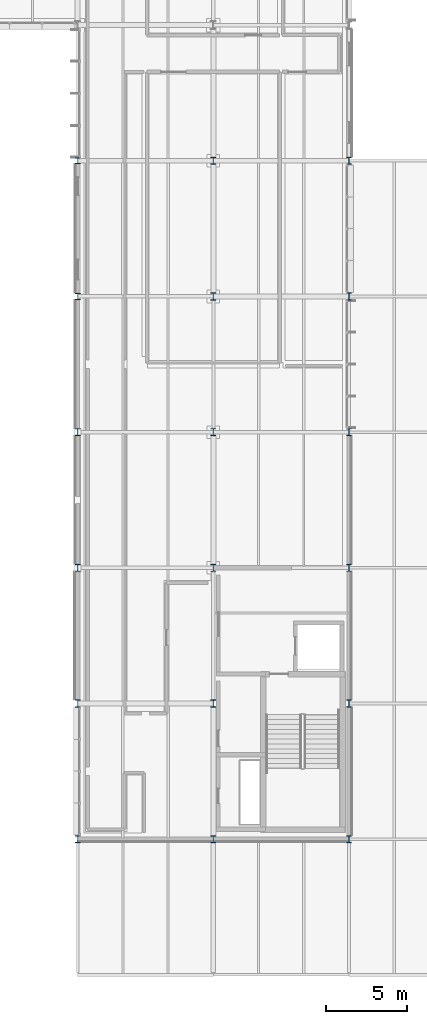
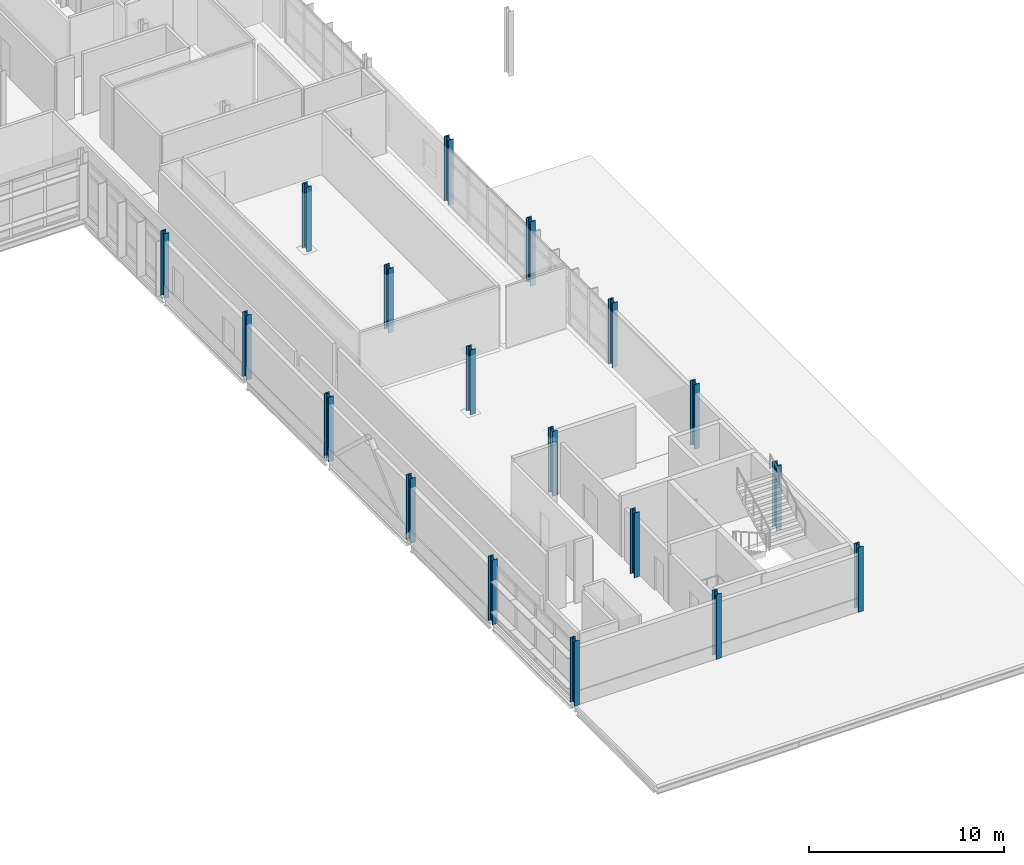
# One storey, part 12 of 151: 18 columns.
"""IFC4 building model written with IfcOpenShell, lengths in metres."""

from ifc_helpers import new_model, si_unit, direction, frame, origin, origin_2d, place, context, subcontext, project, spatial, i_section, extrude, material, material_profile, profile_set, type_object, element, save


model = new_model("IFC4")

# Units and contexts
model_context = context("Model", 3, precision=1e-05, world=origin(), true_north=direction((0.0, 1.0)))
body_context = subcontext(model_context, "Body", "Model", "MODEL_VIEW")
ifc_project = project(units=[si_unit("LENGTHUNIT", "METRE"), si_unit("AREAUNIT", "SQUARE_METRE"), si_unit("VOLUMEUNIT", "CUBIC_METRE"), si_unit("PLANEANGLEUNIT", "RADIAN"), si_unit("MASSUNIT", "GRAM", prefix="KILO")], contexts=[model_context])

# Site, building, storey
site_placement = place(None, origin())
site = spatial("IfcSite", under=ifc_project, at=site_placement, CompositionType="ELEMENT")
building_placement = place(site_placement, origin())
building = spatial("IfcBuilding", under=site, at=building_placement, Name="Mersafa Astral City Hall", CompositionType="ELEMENT")
storey_placement = place(building_placement, frame((0.0, 0.0, 9.89990234375)))
storey = spatial("IfcBuildingStorey", under=building, at=storey_placement, Name="L02", CompositionType="ELEMENT", Elevation=9.89990234375)

# Columns
ifc_material = material(Name="Steel S355", Category="steel")
ifc_material_profile_1 = material_profile(ifc_material, i_section(OverallWidth=0.300048828125, OverallDepth=0.360107421875, WebThickness=0.012451171875, FlangeThickness=0.0224609375, FilletRadius=0.027099609375, at=origin_2d()), Name="HEB 360")
ifc_profile_set_1 = profile_set([ifc_material_profile_1], Name="Steel S355")
column_type_1 = type_object("IfcColumnType", Name="STR-COL-HEB360", PredefinedType="COLUMN", material=ifc_profile_set_1)
column_1_placement = place(storey_placement, frame((159.60009765625, 92.39990234375, 0.0), z_axis=(0.0, 0.0, 1.0), x_axis=(1.0, 0.0, 0.0)))
element("IfcColumn", 1, at=column_1_placement, inside=storey, type_object=column_type_1, Name="L02 Structural column G-19-11", PredefinedType="COLUMN", context=body_context, shape_type="SweptSolid", body=[
    extrude(i_section(OverallWidth=0.300048828125, OverallDepth=0.360107421875, WebThickness=0.012451171875, FlangeThickness=0.0224609375, FilletRadius=0.027099609375, at=origin_2d()), origin(), (0.0, 0.0, 1.0), 4.050048828125),
])
ifc_material_profile_2 = material_profile(ifc_material, i_section(OverallWidth=0.300048828125, OverallDepth=0.39990234375, WebThickness=0.013427734375, FlangeThickness=0.02392578125, FilletRadius=0.027099609375, at=origin_2d()), Name="HEB 400")
ifc_profile_set_2 = profile_set([ifc_material_profile_2], Name="Steel S355")
column_type_2 = type_object("IfcColumnType", Name="STR-COL-HEB400", PredefinedType="COLUMN", material=ifc_profile_set_2)
column_2_placement = place(storey_placement, frame((159.60009765625, 84.0, 0.0), z_axis=(0.0, 0.0, 1.0), x_axis=(1.0, 0.0, 0.0)))
element("IfcColumn", 2, at=column_2_placement, inside=storey, type_object=column_type_2, Name="L02 Structural column G-19-10", PredefinedType="COLUMN", context=body_context, shape_type="SweptSolid", body=[
    extrude(i_section(OverallWidth=0.300048828125, OverallDepth=0.39990234375, WebThickness=0.013427734375, FlangeThickness=0.02392578125, FilletRadius=0.027099609375, at=origin_2d()), origin(), (0.0, 0.0, 1.0), 4.050048828125),
])
ifc_material_profile_3 = material_profile(ifc_material, i_section(OverallWidth=0.300048828125, OverallDepth=0.449951171875, WebThickness=0.013916015625, FlangeThickness=0.02587890625, FilletRadius=0.027099609375, at=origin_2d()), Name="HEB 450")
ifc_profile_set_3 = profile_set([ifc_material_profile_3], Name="Steel S355")
column_type_3 = type_object("IfcColumnType", Name="STR-COL-HEB450", PredefinedType="COLUMN", material=ifc_profile_set_3)
for number, where, z_axis, x_axis, name in (
    (3, (159.60009765625, 50.39990234375, 0.0), (0.0, 0.0, 1.0), (1.0, 0.0, 0.0), "L02 Structural column G-19-06"),
    (4, (159.60009765625, 58.800048828125, 0.0), (0.0, 0.0, 1.0), (1.0, 0.0, 0.0), "L02 Structural column G-19-07"),
    (5, (159.60009765625, 67.199951171875, 0.0), (0.0, 0.0, 1.0), (1.0, 0.0, 0.0), "L02 Structural column G-19-08"),
    (6, (159.60009765625, 75.60009765625, 0.0), (0.0, 0.0, 1.0), (1.0, 0.0, 0.0), "L02 Structural column G-19-09"),
    (7, (168.0, 50.39990234375, 0.0), (0.0, 0.0, 1.0), (1.0, 0.0, 0.0), "L02 Structural column G-20-06"),
    (8, (168.0, 58.800048828125, 0.0), (0.0, 0.0, 1.0), (1.0, 0.0, 0.0), "L02 Structural column G-20-07"),
    (9, (168.0, 67.199951171875, 0.0), (0.0, 0.0, 1.0), (1.0, 0.0, 0.0), "L02 Structural column G-20-08"),
    (10, (168.0, 75.60009765625, 0.0), (0.0, 0.0, 1.0), (1.0, 0.0, 0.0), "L02 Structural column G-20-09"),
    (11, (168.0, 84.0, 0.0), (0.0, 0.0, 1.0), (1.0, 0.0, 0.0), "L02 Structural column G-20-10"),
    (12, (168.0, 92.39990234375, 0.0), (0.0, 0.0, 1.0), (1.0, 0.0, 0.0), "L02 Structural column G-20-11"),
    (13, (176.39990234375, 50.39990234375, 0.0), (0.0, 0.0, 1.0), (1.0, 0.0, 0.0), "L02 Structural column G-21-06"),
    (14, (176.39990234375, 58.800048828125, 0.0), (0.0, 0.0, 1.0), (1.0, 0.0, 0.0), "L02 Structural column G-21-07"),
    (15, (176.39990234375, 67.199951171875, 0.0), (0.0, 0.0, 1.0), (1.0, 0.0, 0.0), "L02 Structural column G-21-08"),
    (16, (176.39990234375, 75.60009765625, 0.0), (0.0, 0.0, 1.0), (1.0, 0.0, 0.0), "L02 Structural column G-21-09"),
    (17, (176.39990234375, 84.0, 0.0), (0.0, 0.0, 1.0), (1.0, 0.0, 0.0), "L02 Structural column G-21-10"),
    (18, (176.39990234375, 92.39990234375, 0.0), (0.0, 0.0, 1.0), (1.0, 0.0, 0.0), "L02 Structural column G-21-11"),
):
    element("IfcColumn", number, at=place(storey_placement, frame(where, z_axis=z_axis, x_axis=x_axis)), inside=storey, type_object=column_type_3, Name=name, PredefinedType="COLUMN", context=body_context, shape_type="SweptSolid", body=[
        extrude(i_section(OverallWidth=0.300048828125, OverallDepth=0.449951171875, WebThickness=0.013916015625, FlangeThickness=0.02587890625, FilletRadius=0.027099609375, at=origin_2d()), origin(), (0.0, 0.0, 1.0), 4.050048828125),
    ])

save(model, "model.ifc")
